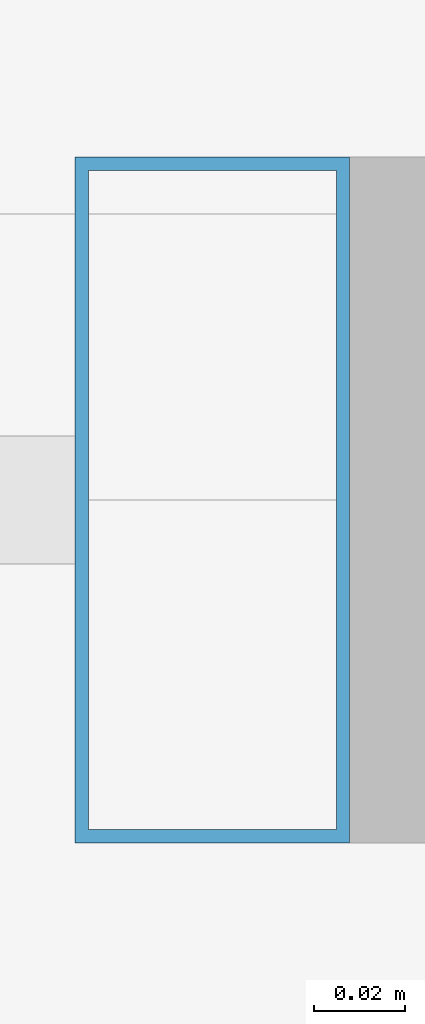
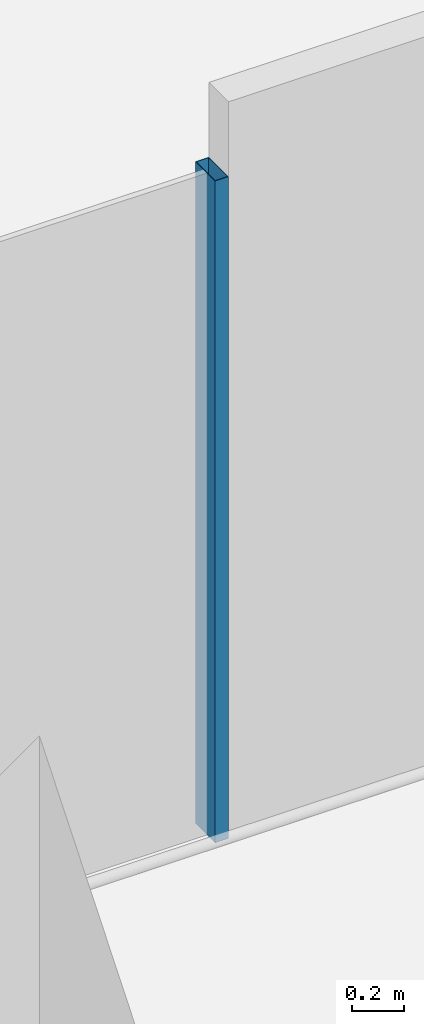
# One storey, part 7 of 55: 1 member, 1 element without a shape of its own.
"""IFC4 building model written with IfcOpenShell, lengths in metres."""

from ifc_helpers import new_model, si_unit, direction, frame, origin, origin_2d, place, context, subcontext, project, spatial, hollow_rectangle, extrude, material, material_profile, profile_set, type_object, element, aggregate, save


model = new_model("IFC4")

# Units and contexts
model_context = context("Model", 3, precision=1e-05, world=origin(), true_north=direction((0.0, 1.0)))
body_context = subcontext(model_context, "Body", "Model", "MODEL_VIEW")
ifc_project = project(units=[si_unit("LENGTHUNIT", "METRE"), si_unit("AREAUNIT", "SQUARE_METRE"), si_unit("VOLUMEUNIT", "CUBIC_METRE"), si_unit("PLANEANGLEUNIT", "RADIAN"), si_unit("MASSUNIT", "GRAM", prefix="KILO")], contexts=[model_context])

# Site, building, storey
site_placement = place(None, origin())
site = spatial("IfcSite", under=ifc_project, at=site_placement, CompositionType="ELEMENT")
building_placement = place(site_placement, origin())
building = spatial("IfcBuilding", under=site, at=building_placement, Name="Altepetl Exchange Towers", CompositionType="ELEMENT")
storey_placement = place(building_placement, frame((0.0, 0.0, 47.39990234375)))
storey = spatial("IfcBuildingStorey", under=building, at=storey_placement, Name="L10", CompositionType="ELEMENT", Elevation=47.39990234375)

# Curtain wall, member
ifc_material_1 = material(Name="Aluminium 6063-T6 glazing", Category="aluminium")
curtain_wall_type = type_object("IfcCurtainWallType", Name="Loggia glazing system", PredefinedType="NOTDEFINED", material=ifc_material_1)
curtain_wall_placement = place(storey_placement, origin())
curtain_wall = element("IfcCurtainWall", 1, at=curtain_wall_placement, inside=storey, type_object=curtain_wall_type, Name="CW1 run", PredefinedType="NOTDEFINED")
ifc_material_2 = material(Name="Aluminium 6063-T6", Category="aluminium")
ifc_material_profile = material_profile(ifc_material_2, hollow_rectangle(XDim=0.06005859375, YDim=0.14990234375, WallThickness=0.0029296875, at=origin_2d()), Name="Mullion 60x150 aluminium")
ifc_profile_set = profile_set([ifc_material_profile], Name="Aluminium 6063-T6")
member_type = type_object("IfcMemberType", Name="Mullion 60x150 aluminium", PredefinedType="MULLION", material=ifc_profile_set)
member_placement = place(storey_placement, frame((47.152099609375, 29.0, 0.0)))
member = element("IfcMember", 2, at=member_placement, type_object=member_type, Name="MU1 mullion", PredefinedType="MULLION", context=body_context, shape_type="SweptSolid", body=[
    extrude(hollow_rectangle(XDim=0.06005859375, YDim=0.14990234375, WallThickness=0.0029296875, at=origin_2d()), origin(), (0.0, 0.0, 1.0), 3.10009765625),
])
aggregate(curtain_wall, [member])

save(model, "model.ifc")
